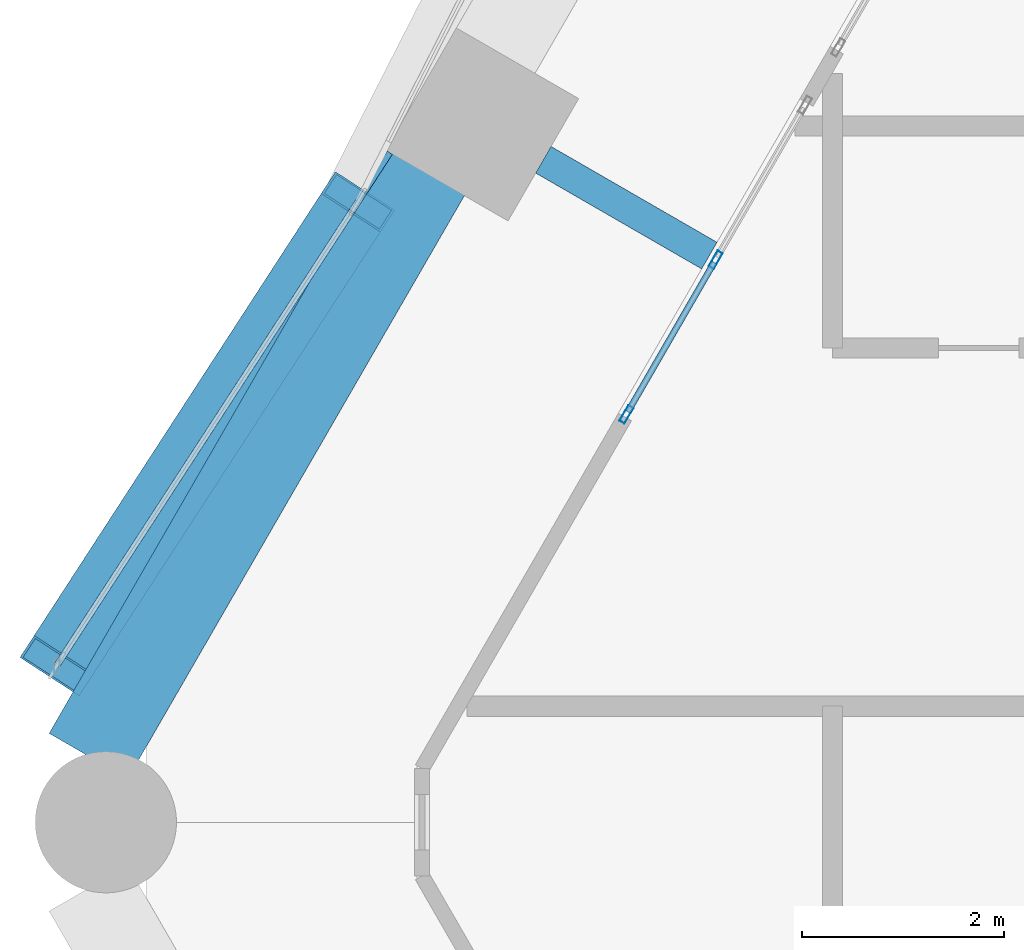
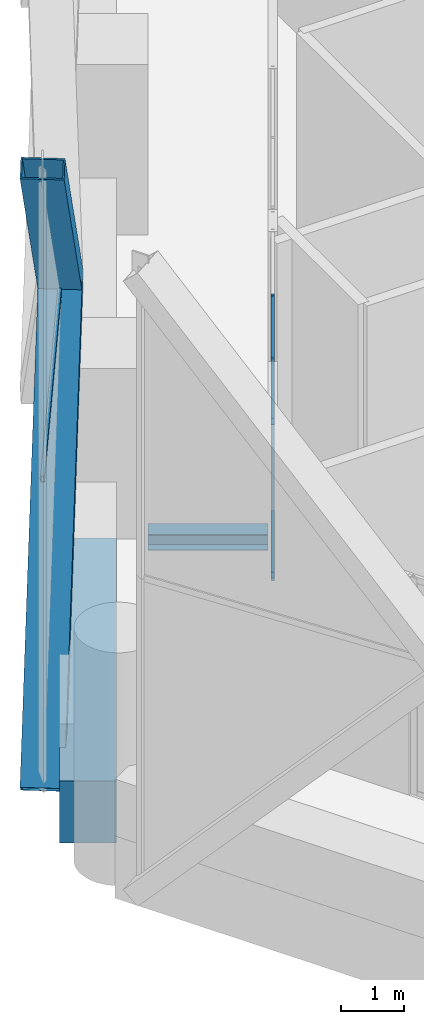
# One storey, part 13 of 46: 8 members, 2 beams, 2 elements without a shape of their own.
"""IFC4 building model written with IfcOpenShell, lengths in metres."""

from ifc_helpers import new_model, si_unit, direction, frame, origin, origin_2d, place, context, subcontext, project, spatial, rectangle, hollow_rectangle, i_section, extrude, material, material_profile, profile_set, type_object, element, aggregate, save


model = new_model("IFC4")

# Units and contexts
model_context = context("Model", 3, precision=1e-05, world=origin(), true_north=direction((0.0, 1.0)))
body_context = subcontext(model_context, "Body", "Model", "MODEL_VIEW")
ifc_project = project(units=[si_unit("LENGTHUNIT", "METRE"), si_unit("AREAUNIT", "SQUARE_METRE"), si_unit("VOLUMEUNIT", "CUBIC_METRE"), si_unit("PLANEANGLEUNIT", "RADIAN"), si_unit("MASSUNIT", "GRAM", prefix="KILO")], contexts=[model_context])

# Site, building, storey
site_placement = place(None, origin())
site = spatial("IfcSite", under=ifc_project, at=site_placement, CompositionType="ELEMENT")
building_placement = place(site_placement, origin())
building = spatial("IfcBuilding", under=site, at=building_placement, Name="Ostrander Bayou Hotel Tower", CompositionType="ELEMENT")
storey_placement = place(building_placement, frame((0.0, 0.0, 23.5)))
storey = spatial("IfcBuildingStorey", under=building, at=storey_placement, Name="L05", CompositionType="ELEMENT", Elevation=23.5)

# Curtain wall, member
ifc_material_1 = material(Name="Aluminium and clear glass", Category="aluminium")
curtain_wall_type_1 = type_object("IfcCurtainWallType", Name="CW-LAT lattice glazing", PredefinedType="NOTDEFINED", material=ifc_material_1)
curtain_wall_1_placement = place(storey_placement, origin())
curtain_wall_1 = element("IfcCurtainWall", 1, at=curtain_wall_1_placement, inside=storey, type_object=curtain_wall_type_1, Name="CW-LAT L05 NW 2", PredefinedType="NOTDEFINED")
ifc_material_2 = material(Name="Aluminium", Category="aluminium")
ifc_material_profile_1 = material_profile(ifc_material_2, hollow_rectangle(XDim=0.06005859375, YDim=0.1201171875, WallThickness=0.00390625, at=origin_2d()))
ifc_profile_set_1 = profile_set([ifc_material_profile_1], Name="Aluminium")
member_type_1 = type_object("IfcMemberType", Name="CW-LA transom 60 x 120 mm", PredefinedType="USERDEFINED", material=ifc_profile_set_1)
member_1_placement = place(storey_placement, frame((-24.58837890625, 1.551513671875, 5.39990234375), z_axis=(0.544652890505, 0.838661569922, 0.0), x_axis=(-0.838661569922, 0.544652890505, 0.0)))
member_1 = element("IfcMember", 2, at=member_1_placement, type_object=member_type_1, Name="CW-LAT transom 10", ObjectType="TRANSOM", PredefinedType="USERDEFINED", context=body_context, shape_type="SweptSolid", body=[
    extrude(hollow_rectangle(XDim=0.06005859375, YDim=0.1201171875, WallThickness=0.00390625, at=origin_2d()), origin(), (0.0, 0.0, 1.0), 6.0634765625),
])
aggregate(curtain_wall_1, [member_1])

# Curtain wall, members
ifc_material_3 = material(Name="Aluminium and clear glass", Category="aluminium")
curtain_wall_type_2 = type_object("IfcCurtainWallType", Name="CW-SKY amenity glass wall", PredefinedType="NOTDEFINED", material=ifc_material_3)
curtain_wall_2_placement = place(storey_placement, origin())
curtain_wall_2 = element("IfcCurtainWall", 3, at=curtain_wall_2_placement, inside=storey, type_object=curtain_wall_type_2, Name="CW-SKY L05 NW 4", PredefinedType="NOTDEFINED")
ifc_material_4 = material(Name="Aluminium", Category="aluminium")
ifc_material_profile_2 = material_profile(ifc_material_4, hollow_rectangle(XDim=0.06005859375, YDim=0.179931640625, WallThickness=0.00390625, at=origin_2d()))
ifc_profile_set_2 = profile_set([ifc_material_profile_2], Name="Aluminium")
member_type_2 = type_object("IfcMemberType", Name="CW-SK mullion 60 x 180 mm", PredefinedType="MULLION", material=ifc_profile_set_2)
member_2_placement = place(storey_placement, frame((-18.056396484375, 5.5751953125, 0.0), z_axis=(0.0, 0.0, 1.0), x_axis=(0.866025997283, -0.499998972029, 0.0)))
member_2 = element("IfcMember", 4, at=member_2_placement, type_object=member_type_2, Name="CW-SKY mullion 2", PredefinedType="MULLION", context=body_context, shape_type="SweptSolid", body=[
    extrude(hollow_rectangle(XDim=0.06005859375, YDim=0.179931640625, WallThickness=0.00390625, at=origin_2d()), origin(), (0.0, 0.0, 1.0), 4.199951171875),
])
member_3_placement = place(storey_placement, frame((-18.94140625, 4.042236328125, 0.0), z_axis=(0.0, 0.0, 1.0), x_axis=(0.866025997283, -0.499998972029, 0.0)))
member_3 = element("IfcMember", 5, at=member_3_placement, type_object=member_type_2, Name="CW-SKY mullion 3", PredefinedType="MULLION", context=body_context, shape_type="SweptSolid", body=[
    extrude(hollow_rectangle(XDim=0.06005859375, YDim=0.179931640625, WallThickness=0.00390625, at=origin_2d()), origin(), (0.0, 0.0, 1.0), 4.199951171875),
])
ifc_material_5 = material(Name="Aluminium", Category="aluminium")
ifc_material_profile_3 = material_profile(ifc_material_5, hollow_rectangle(XDim=0.06005859375, YDim=0.1201171875, WallThickness=0.00390625, at=origin_2d()))
ifc_profile_set_3 = profile_set([ifc_material_profile_3], Name="Aluminium")
member_type_3 = type_object("IfcMemberType", Name="CW-SK transom 60 x 120 mm", PredefinedType="USERDEFINED", material=ifc_profile_set_3)
member_4_placement = place(storey_placement, frame((-18.071533203125, 5.549072265625, 0.030029296875), z_axis=(-0.500039688951, -0.866002488145, 0.0), x_axis=(0.866002488145, -0.500039688951, 0.0)))
member_4 = element("IfcMember", 6, at=member_4_placement, type_object=member_type_3, Name="CW-SKY transom 2.1", ObjectType="TRANSOM", PredefinedType="USERDEFINED", context=body_context, shape_type="SweptSolid", body=[
    extrude(hollow_rectangle(XDim=0.06005859375, YDim=0.1201171875, WallThickness=0.00390625, at=origin_2d()), origin(), (0.0, 0.0, 1.0), 1.709716796875),
])
member_5_placement = place(storey_placement, frame((-18.071533203125, 5.549072265625, 3.0), z_axis=(-0.500039688951, -0.866002488145, 0.0), x_axis=(0.866002488145, -0.500039688951, 0.0)))
member_5 = element("IfcMember", 7, at=member_5_placement, type_object=member_type_3, Name="CW-SKY transom 2.2", ObjectType="TRANSOM", PredefinedType="USERDEFINED", context=body_context, shape_type="SweptSolid", body=[
    extrude(hollow_rectangle(XDim=0.06005859375, YDim=0.1201171875, WallThickness=0.00390625, at=origin_2d()), origin(), (0.0, 0.0, 1.0), 1.709716796875),
])
member_6_placement = place(storey_placement, frame((-18.071533203125, 5.549072265625, 4.169921875), z_axis=(-0.500039688951, -0.866002488145, 0.0), x_axis=(0.866002488145, -0.500039688951, 0.0)))
member_6 = element("IfcMember", 8, at=member_6_placement, type_object=member_type_3, Name="CW-SKY transom 2.3", ObjectType="TRANSOM", PredefinedType="USERDEFINED", context=body_context, shape_type="SweptSolid", body=[
    extrude(hollow_rectangle(XDim=0.06005859375, YDim=0.1201171875, WallThickness=0.00390625, at=origin_2d()), origin(), (0.0, 0.0, 1.0), 1.709716796875),
])
aggregate(curtain_wall_2, [member_2, member_3, member_4, member_5, member_6])

# Beam
ifc_material_6 = material(Name="Steel ASTM A992", Category="steel")
ifc_material_profile_4 = material_profile(ifc_material_6, i_section(OverallWidth=0.3046875, OverallDepth=0.307861328125, WebThickness=0.010009765625, FlangeThickness=0.015380859375, at=origin_2d()))
ifc_profile_set_4 = profile_set([ifc_material_profile_4], Name="Steel ASTM A992")
beam_type_1 = type_object("IfcBeamType", Name="LB1 loggia bracket W12x65", PredefinedType="BEAM", material=ifc_profile_set_4)
beam_1_placement = place(storey_placement, frame((-19.7646484375, 6.566650390625, -0.453857421875), z_axis=(0.866044365799, -0.499967155389, 0.0), x_axis=(0.499967155389, 0.866044365799, 0.0)))
element("IfcBeam", 9, at=beam_1_placement, inside=storey, type_object=beam_type_1, Name="LB1 L05 NW2", PredefinedType="BEAM", context=body_context, shape_type="SweptSolid", body=[
    extrude(i_section(OverallWidth=0.3046875, OverallDepth=0.307861328125, WebThickness=0.010009765625, FlangeThickness=0.015380859375, at=origin_2d()), origin(), (0.0, 0.0, 1.0), 1.900146484375),
])

# Members
ifc_material_7 = material(Name="Steel ASTM A572 Gr 50", Category="steel")
ifc_material_profile_5 = material_profile(ifc_material_7, hollow_rectangle(XDim=0.699951171875, YDim=0.35009765625, WallThickness=0.02490234375, at=origin_2d()))
ifc_profile_set_5 = profile_set([ifc_material_profile_5], Name="Steel ASTM A572 Gr 50")
member_type_4 = type_object("IfcMemberType", Name="LT1 lattice member box 700 x 350 x 25 mm", PredefinedType="BRACE", material=ifc_profile_set_5)
for number, where, z_axis, x_axis, name in (
    (10, (-21.602294921875, 6.14990234375, 5.39990234375), (-0.367389353797, -0.565757377056, -0.738202989037), (0.838682608864, -0.544620493178, 0.0), "LT1 L05 NW 7"),
    (11, (-21.602294921875, 6.14990234375, 5.39990234375), (-0.367389353797, -0.565757377056, 0.738202989037), (0.838682608864, -0.544620493178, 0.0), "LT1 L05 NW 8"),
):
    element("IfcMember", number, at=place(storey_placement, frame(where, z_axis=z_axis, x_axis=x_axis)), inside=storey, type_object=member_type_4, Name=name, PredefinedType="BRACE", context=body_context, shape_type="SweptSolid", body=[
        extrude(hollow_rectangle(XDim=0.699951171875, YDim=0.35009765625, WallThickness=0.02490234375, at=origin_2d()), origin(), (0.0, 0.0, 1.0), 8.1279296875),
    ])

# Beam
ifc_material_8 = material(Name="Concrete f'c 70 MPa", Category="concrete")
ifc_material_profile_6 = material_profile(ifc_material_8, rectangle(XDim=0.89990234375, YDim=1.199951171875, at=origin_2d()))
ifc_profile_set_6 = profile_set([ifc_material_profile_6], Name="Concrete f'c 70 MPa")
beam_type_2 = type_object("IfcBeamType", Name="SP1 spandrel beam 900 x 1200 mm f'c 70 MPa", PredefinedType="SPANDREL", material=ifc_profile_set_6)
beam_2_placement = place(storey_placement, frame((-20.92236328125, 6.46142578125, -0.60009765625), z_axis=(-0.500005133765, -0.866022439784, 0.0), x_axis=(0.866022439784, -0.500005133765, 0.0)))
element("IfcBeam", 12, at=beam_2_placement, inside=storey, type_object=beam_type_2, Name="SP1 L05 NW-3", PredefinedType="SPANDREL", context=body_context, shape_type="SweptSolid", body=[
    extrude(rectangle(XDim=0.89990234375, YDim=1.199951171875, at=origin_2d()), origin(), (0.0, 0.0, 1.0), 6.70361328125),
])

save(model, "model.ifc")
